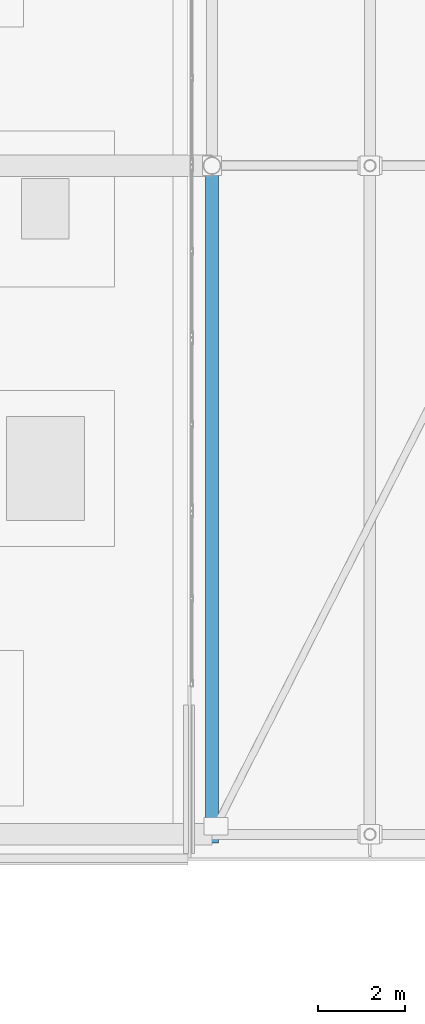
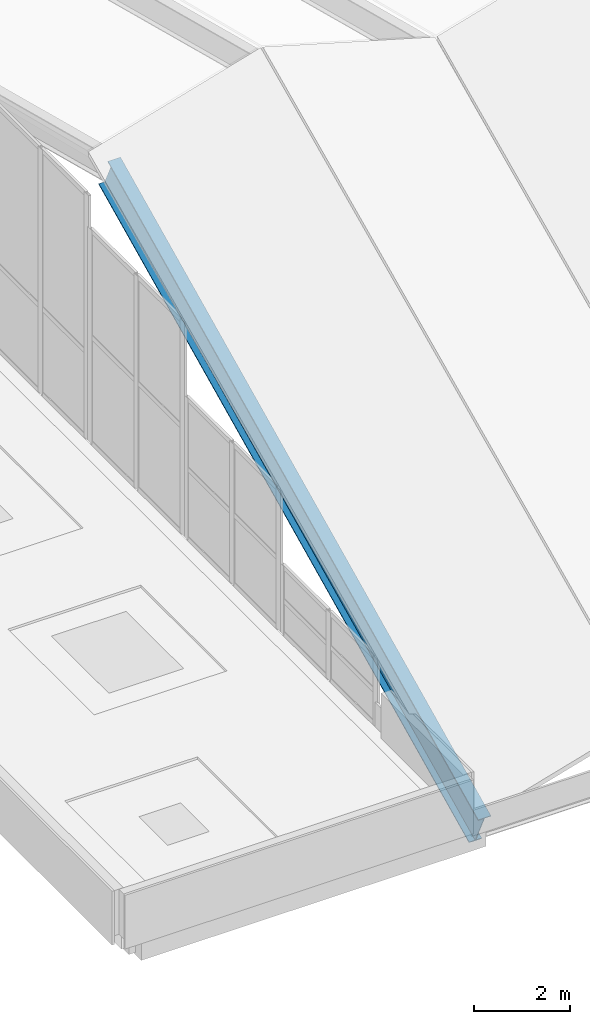
# One storey, part 32 of 184: 1 beam.
"""IFC4 building model written with IfcOpenShell, lengths in metres."""

from ifc_helpers import new_model, si_unit, direction, frame, origin, origin_2d, place, context, subcontext, project, spatial, i_section, extrude, material, material_profile, profile_set, type_object, element, save


model = new_model("IFC4")

# Units and contexts
model_context = context("Model", 3, precision=1e-05, world=origin(), true_north=direction((0.0, 1.0)))
body_context = subcontext(model_context, "Body", "Model", "MODEL_VIEW")
ifc_project = project(units=[si_unit("LENGTHUNIT", "METRE"), si_unit("AREAUNIT", "SQUARE_METRE"), si_unit("VOLUMEUNIT", "CUBIC_METRE"), si_unit("PLANEANGLEUNIT", "RADIAN"), si_unit("MASSUNIT", "GRAM", prefix="KILO")], contexts=[model_context])

# Site, building, storey
site_placement = place(None, origin())
site = spatial("IfcSite", under=ifc_project, at=site_placement, CompositionType="ELEMENT")
building_placement = place(site_placement, origin())
building = spatial("IfcBuilding", under=site, at=building_placement, Name="Selatvlak General Hospital", CompositionType="ELEMENT")
storey_placement = place(building_placement, frame((0.0, 0.0, 15.0)))
storey = spatial("IfcBuildingStorey", under=building, at=storey_placement, Name="L03", CompositionType="ELEMENT", Elevation=15.0)

# Beam
ifc_material = material(Name="Steel S355", Category="steel")
ifc_material_profile = material_profile(ifc_material, i_section(OverallWidth=0.30419921875, OverallDepth=0.910400390625, WebThickness=0.015869140625, FlangeThickness=0.02392578125, at=origin_2d()), Name="UB 914x305x224")
ifc_profile_set = profile_set([ifc_material_profile], Name="Steel S355")
beam_type = type_object("IfcBeamType", Name="BM-RF1", PredefinedType="BEAM", material=ifc_profile_set)
beam_placement = place(storey_placement, frame((23.35009765625, 52.550048828125, -0.679931640625), z_axis=(0.0, 0.901888793553, 0.431968290577), x_axis=(-1.0, 0.0, 0.0)))
element("IfcBeam", 1, at=beam_placement, inside=storey, type_object=beam_type, Name="Folded roof south rafter 1", PredefinedType="BEAM", context=body_context, shape_type="SweptSolid", body=[
    extrude(i_section(OverallWidth=0.30419921875, OverallDepth=0.910400390625, WebThickness=0.015869140625, FlangeThickness=0.02392578125, at=origin_2d()), origin(), (0.0, 0.0, 1.0), 17.130615234375),
])

save(model, "model.ifc")
